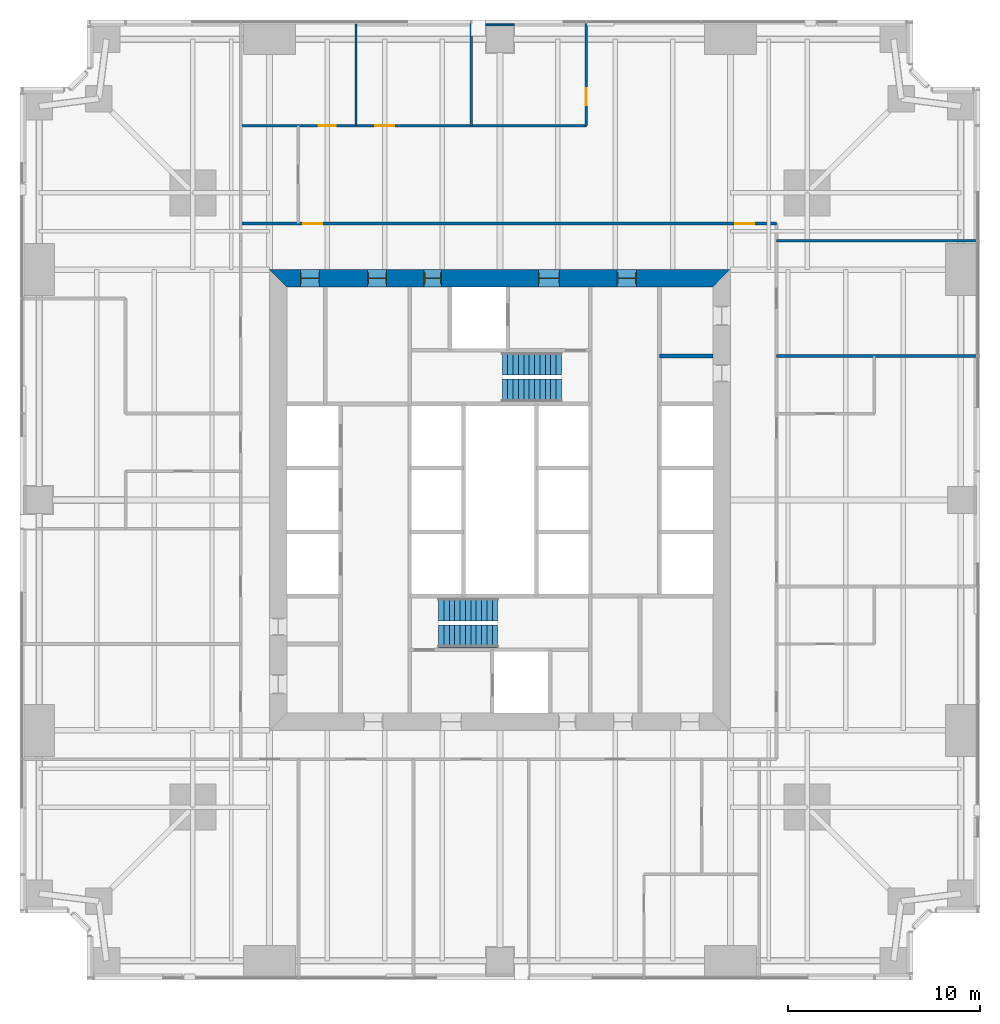
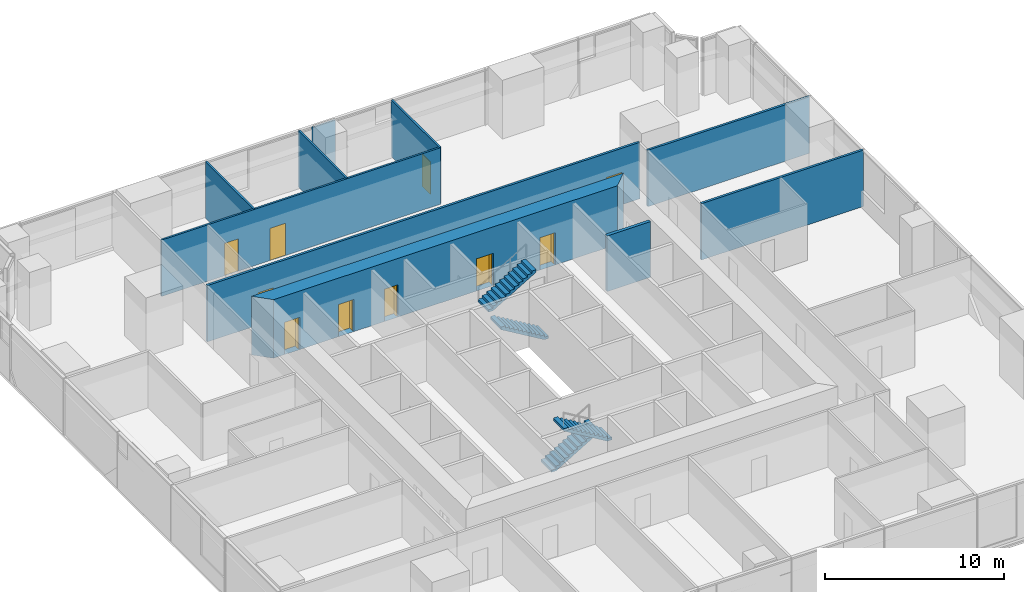
# One storey, part 11 of 13: 10 doors, 10 walls, 4 stair flights, 10 openings, 2 elements without a shape of their own.
"""IFC4 building model written with IfcOpenShell, lengths in metres."""

import ifcopenshell
import ifcopenshell.guid

model = None  # the IFC model being written
_history = None  # IfcOwnerHistory: only IFC2X3 demands one
_inside = {}  # id of a spatial element -> (the spatial element, [elements in it])
_under = {}  # id of a project, library or spatial element -> (it, [spatial elements below it])
_declared = {}  # id of a project -> (the project, [libraries it declares])
_typed = {}  # id of a type object -> (the type object, [elements of that type])
_made_of = {}  # id of a material, layer set ... -> (it, [elements and type objects made of it])


def new_model(schema):
    """Start an empty IFC model of exactly this schema.

    Asked for "IFC4X3", IfcOpenShell would pick the latest addendum, in which some entities
    have other attributes; the version numbers below select the first issue.
    IFC2X3 requires an IfcOwnerHistory on every rooted entity: one is made here for all.
    """
    global model, _history
    if schema == "IFC4X3":
        model = ifcopenshell.file(schema_version=(4, 3, 0, 0))
    else:
        model = ifcopenshell.file(schema=schema)
    _inside.clear()
    _under.clear()
    _declared.clear()
    _typed.clear()
    _made_of.clear()
    _history = None
    if model.schema == "IFC2X3":
        org = make("IfcOrganization", Name="unknown")
        user = make(
            "IfcPersonAndOrganization",
            ThePerson=make("IfcPerson", FamilyName="unknown"),
            TheOrganization=org,
        )
        app = make(
            "IfcApplication",
            ApplicationDeveloper=org,
            Version="unknown",
            ApplicationFullName="unknown",
            ApplicationIdentifier="unknown",
        )
        _history = make(
            "IfcOwnerHistory",
            OwningUser=user,
            OwningApplication=app,
            ChangeAction="ADDED",
            CreationDate=0,
        )
    return model


def make(cls, **values):
    """One entity of the class cls with the attributes given. An attribute that is None is left unset."""
    return model.create_entity(
        cls, **{name: value for name, value in values.items() if value is not None}
    )


def rooted(cls, **values):
    """An entity with a GlobalId (a new one), such as an element, a storey or a relation."""
    return make(cls, GlobalId=ifcopenshell.guid.new(), OwnerHistory=_history, **values)


def si_unit(unit_type, name, prefix=None):
    """IfcSIUnit, for example si_unit("LENGTHUNIT", "METRE", prefix="MILLI")."""
    return make("IfcSIUnit", UnitType=unit_type, Prefix=prefix, Name=name)


def assignment(units):
    """IfcUnitAssignment: the units of a project."""
    return None if units is None else make("IfcUnitAssignment", Units=units)


def point(xyz):
    """IfcCartesianPoint."""
    return None if xyz is None else make("IfcCartesianPoint", Coordinates=xyz)


def direction(xyz):
    """IfcDirection."""
    return None if xyz is None else make("IfcDirection", DirectionRatios=xyz)


def frame(location, z_axis=None, x_axis=None):
    """IfcAxis2Placement3D, a coordinate frame: its origin and axes. An axis left out is left unset."""
    return make(
        "IfcAxis2Placement3D",
        Location=point(location),
        Axis=direction(z_axis),
        RefDirection=direction(x_axis),
    )


def frame_2d(location, x_axis=None):
    """IfcAxis2Placement2D, a coordinate frame in the plane: its origin and x axis."""
    return make(
        "IfcAxis2Placement2D", Location=point(location), RefDirection=direction(x_axis)
    )


def origin():
    """The frame at (0, 0, 0) with its axes left unset."""
    return frame((0.0, 0.0, 0.0))


def place(relative_to, where):
    """IfcLocalPlacement: puts the frame where relative to a parent placement (None: the world)."""
    return make(
        "IfcLocalPlacement", PlacementRelTo=relative_to, RelativePlacement=where
    )


def context(
    kind, dimensions, precision=None, world=None, true_north=None, identifier=None
):
    """IfcGeometricRepresentationContext, for example the 3D "Model" context."""
    return make(
        "IfcGeometricRepresentationContext",
        ContextIdentifier=identifier,
        ContextType=kind,
        CoordinateSpaceDimension=dimensions,
        Precision=precision,
        WorldCoordinateSystem=world,
        TrueNorth=true_north,
    )


def subcontext(parent, identifier, kind, view, scale=None):
    """IfcGeometricRepresentationSubContext, for example "Body" below "Model"."""
    return make(
        "IfcGeometricRepresentationSubContext",
        ContextIdentifier=identifier,
        ContextType=kind,
        ParentContext=parent,
        TargetScale=scale,
        TargetView=view,
    )


def project(units=None, contexts=None):
    """IfcProject with its units and contexts."""
    return rooted(
        "IfcProject",
        Name="project",
        RepresentationContexts=contexts,
        UnitsInContext=assignment(units),
    )


def spatial(cls, under=None, at=None, **own):
    """A site, building, storey or space (cls), placed at a placement, below another one or the project."""
    s = rooted(cls, ObjectPlacement=at, **own)
    if under is not None:
        _under.setdefault(under.id(), (under, []))[1].append(s)
    return s


def polyline(points):
    """IfcPolyline through the points."""
    return make("IfcPolyline", Points=[point(p) for p in points])


def profile(cls, at=None, kind="AREA", **sizes):
    """A parametric profile (cls). Its sizes go by their IFC names, for example OverallWidth=200.0."""
    return make(cls, ProfileType=kind, Position=at, **sizes)


def rectangle(**sizes):
    """IfcRectangleProfileDef."""
    return profile("IfcRectangleProfileDef", **sizes)


def outline(outer, holes=None, kind="AREA"):
    """IfcArbitraryClosedProfileDef: a profile drawn as a closed curve; with holes, ...WithVoids."""
    if holes is None:
        return make("IfcArbitraryClosedProfileDef", ProfileType=kind, OuterCurve=outer)
    return make(
        "IfcArbitraryProfileDefWithVoids",
        ProfileType=kind,
        OuterCurve=outer,
        InnerCurves=holes,
    )


def extrude(swept, where, along, depth):
    """IfcExtrudedAreaSolid: the profile swept, set in the frame where, extruded along a direction by depth."""
    return make(
        "IfcExtrudedAreaSolid",
        SweptArea=swept,
        Position=where,
        ExtrudedDirection=direction(along),
        Depth=depth,
    )


def shape(context_of_items, identifier, shape_type, items):
    """IfcShapeRepresentation: the items that make up one representation, for example the "Body"."""
    return make(
        "IfcShapeRepresentation",
        ContextOfItems=context_of_items,
        RepresentationIdentifier=identifier,
        RepresentationType=shape_type,
        Items=items,
    )


def material(Name=None, Category=None):
    """IfcMaterial."""
    return make("IfcMaterial", Name=Name, Category=Category)


def layer(
    of_material, thickness, ventilated=None, Name=None, Category=None, Priority=None
):
    """IfcMaterialLayer: one layer of a wall or slab, of a material (None: an air gap)."""
    return make(
        "IfcMaterialLayer",
        Material=of_material,
        LayerThickness=thickness,
        IsVentilated=ventilated,
        Name=Name,
        Category=Category,
        Priority=Priority,
    )


def layer_set(layers, Name=None):
    """IfcMaterialLayerSet."""
    return make("IfcMaterialLayerSet", MaterialLayers=layers, LayerSetName=Name)


def made_of(thing, what):
    """Note that an element or type object is made of a material, layer set ...; save() writes the relation."""
    if what is not None:
        _made_of.setdefault(what.id(), (what, []))[1].append(thing)
    return thing


def type_object(cls, material=None, **own):
    """A type object (cls), such as IfcWallType, which elements share."""
    return made_of(rooted(cls, **own), material)


def element(
    cls,
    number,
    at=None,
    inside=None,
    cuts=None,
    type_object=None,
    material=None,
    context=None,
    identifier="Body",
    shape_type=None,
    held_by="IfcProductDefinitionShape",
    body=None,
    shapes=None,
    **own,
):
    """One element of the class cls, such as IfcWall. Its Tag is "e" and its number.

    at: its placement. inside: the storey or other place that contains it. cuts: it is an
    opening in that element (IfcRelVoidsElement). A single representation is given by context,
    identifier, shape_type and body (its items); several are given by shapes. held_by: the class
    of the entity that holds the representations. save() writes the other relations.
    """
    e = rooted(cls, Tag="e%d" % number, ObjectPlacement=at, **own)
    if body is not None:
        shapes = [shape(context, identifier, shape_type, body)]
    if shapes is not None:
        e.Representation = make(held_by, Representations=shapes)
    if inside is not None:
        _inside.setdefault(inside.id(), (inside, []))[1].append(e)
    if cuts is not None:
        rooted(
            "IfcRelVoidsElement", RelatingBuildingElement=cuts, RelatedOpeningElement=e
        )
    if type_object is not None:
        _typed.setdefault(type_object.id(), (type_object, []))[1].append(e)
    return made_of(e, material)


def fill(opening, filler):
    """IfcRelFillsElement: the door or window that sits in an opening."""
    return rooted(
        "IfcRelFillsElement",
        RelatingOpeningElement=opening,
        RelatedBuildingElement=filler,
    )


def aggregate(whole, parts):
    """IfcRelAggregates: a whole, such as a stair, and the parts it consists of."""
    return rooted("IfcRelAggregates", RelatingObject=whole, RelatedObjects=parts)


def save(model, path):
    """Write the relations noted so far, then the file.

    IfcRelAggregates (storeys below a building ...), IfcRelContainedInSpatialStructure (elements
    in a storey), IfcRelDefinesByType, IfcRelAssociatesMaterial and IfcRelDeclares: one each for
    every whole, place, type object, material and project.
    """
    for whole, parts in _under.values():
        aggregate(whole, parts)
    for where, things in _inside.values():
        rooted(
            "IfcRelContainedInSpatialStructure",
            RelatedElements=things,
            RelatingStructure=where,
        )
    for kind, things in _typed.values():
        rooted("IfcRelDefinesByType", RelatedObjects=things, RelatingType=kind)
    for what, things in _made_of.values():
        rooted("IfcRelAssociatesMaterial", RelatedObjects=things, RelatingMaterial=what)
    for by, libraries in _declared.values():
        rooted("IfcRelDeclares", RelatingContext=by, RelatedDefinitions=libraries)
    model.write(path)


model = new_model("IFC4")

# Units and contexts
model_context = context("Model", 3, precision=1e-05, world=origin(), true_north=direction((0.0, 1.0)))
body_context = subcontext(model_context, "Body", "Model", "MODEL_VIEW")
ifc_project = project(units=[si_unit("LENGTHUNIT", "METRE"), si_unit("AREAUNIT", "SQUARE_METRE"), si_unit("VOLUMEUNIT", "CUBIC_METRE"), si_unit("PLANEANGLEUNIT", "RADIAN"), si_unit("MASSUNIT", "GRAM", prefix="KILO")], contexts=[model_context])

# Site, building, storey
site_placement = place(None, origin())
site = spatial("IfcSite", under=ifc_project, at=site_placement, CompositionType="ELEMENT")
building_placement = place(site_placement, origin())
building = spatial("IfcBuilding", under=site, at=building_placement, Name="Fenwick Lantern Interchange", CompositionType="ELEMENT")
storey_placement = place(building_placement, frame((0.0, 0.0, 63.0)))
storey = spatial("IfcBuildingStorey", under=building, at=storey_placement, Name="L14", CompositionType="ELEMENT", Elevation=63.0)

# Walls
ifc_material_1 = material(Name="Fire-rated gypsum board encasement on steel studs, 2 hour", Category="steel")
ifc_layer_1 = layer(ifc_material_1, 1.5)
ifc_layer_set_1 = layer_set([ifc_layer_1], Name="COLUMN PIER 1500")
wall_type_1 = type_object("IfcWallType", Name="COLUMN PIER 1500", PredefinedType="PARTITIONING", material=ifc_layer_set_1)
wall_1_placement = place(storey_placement, frame((25.0, 49.800048828125, 0.0), z_axis=(0.0, 0.0, 1.0), x_axis=(0.0, -1.0, 0.0)))
element("IfcWall", 1, at=wall_1_placement, inside=storey, type_object=wall_type_1, Name="L14/W/PIER/CN3", PredefinedType="PARTITIONING", context=body_context, shape_type="SweptSolid", body=[
    extrude(rectangle(XDim=0.10009765625, YDim=1.5, at=frame_2d((0.050048828125, 0.0))), origin(), (0.0, 0.0, 1.0), 3.85009765625),
])
ifc_material_2 = material(Name="Concrete masonry ASTM C90 Grade N", Category="masonry")
ifc_layer_2 = layer(ifc_material_2, 0.199951171875)
ifc_layer_set_2 = layer_set([ifc_layer_2], Name="Concrete masonry ASTM C90 Grade N")
wall_type_2 = type_object("IfcWallType", Name="CORE PARTITION 200", PredefinedType="PARTITIONING", material=ifc_layer_set_2)
wall_2_placement = place(storey_placement, frame((36.10009765625, 32.5, 0.0), z_axis=(0.0, 0.0, 1.0), x_axis=(-1.0, 0.0, 0.0)))
element("IfcWall", 2, at=wall_2_placement, inside=storey, type_object=wall_type_2, Name="L14/W/COREN/p1", PredefinedType="PARTITIONING", context=body_context, shape_type="SweptSolid", body=[
    extrude(rectangle(XDim=2.800048828125, YDim=0.199951171875, at=frame_2d((1.39990234375, 0.0))), origin(), (0.0, 0.0, 1.0), 3.800048828125),
])

# Wall, openings, doors
ifc_material_3 = material(Name="Concrete f'c 70 MPa", Category="concrete")
ifc_layer_3 = layer(ifc_material_3, 0.89990234375)
ifc_layer_set_3 = layer_set([ifc_layer_3], Name="CORE WALL 900")
wall_type_3 = type_object("IfcWallType", Name="CORE WALL 900", PredefinedType="SHEAR", material=ifc_layer_set_3)
wall_3_placement = place(storey_placement, frame((37.0, 36.550048828125, 0.0), z_axis=(0.0, 0.0, 1.0), x_axis=(-1.0, 0.0, 0.0)))
wall_3 = element("IfcWall", 3, at=wall_3_placement, inside=storey, type_object=wall_type_3, Name="L14/CORE/N", PredefinedType="SHEAR", context=body_context, shape_type="SweptSolid", body=[
    extrude(outline(polyline([(0.0, -0.449951171875), (24.0, -0.449951171875), (23.10009765625, 0.449951171875), (0.89990234375, 0.449951171875), (0.0, -0.449951171875)])), origin(), (0.0, 0.0, 1.0), 4.0),
])
opening_1_placement = place(wall_3_placement, frame((4.89990234375, 0.0, 0.0)))
opening_1 = element("IfcOpeningElement", 4, at=opening_1_placement, cuts=wall_3, Name="Opening L14-D009", PredefinedType="OPENING", context=body_context, shape_type="SweptSolid", body=[
    extrude(rectangle(XDim=1.0, YDim=2.199951171875, at=frame_2d((0.5, 1.10009765625))), frame((0.0, 0.4599609375, 0.0), z_axis=(0.0, -1.0, 0.0), x_axis=(1.0, 0.0, 0.0)), (0.0, 0.0, 1.0), 0.919921875),
])
opening_2_placement = place(wall_3_placement, frame((8.89990234375, 0.0, 0.0)))
opening_2 = element("IfcOpeningElement", 5, at=opening_2_placement, cuts=wall_3, Name="Opening L14-D010", PredefinedType="OPENING", context=body_context, shape_type="SweptSolid", body=[
    extrude(rectangle(XDim=1.10009765625, YDim=2.199951171875, at=frame_2d((0.550048828125, 1.10009765625))), frame((0.0, 0.4599609375, 0.0), z_axis=(0.0, -1.0, 0.0), x_axis=(1.0, 0.0, 0.0)), (0.0, 0.0, 1.0), 0.919921875),
])
opening_3_placement = place(wall_3_placement, frame((15.050048828125, 0.0, 0.0)))
opening_3 = element("IfcOpeningElement", 6, at=opening_3_placement, cuts=wall_3, Name="Opening L14-D012", PredefinedType="OPENING", context=body_context, shape_type="SweptSolid", body=[
    extrude(rectangle(XDim=0.89990234375, YDim=2.199951171875, at=frame_2d((0.449951171875, 1.10009765625))), frame((0.0, 0.4599609375, 0.0), z_axis=(0.0, -1.0, 0.0), x_axis=(1.0, 0.0, 0.0)), (0.0, 0.0, 1.0), 0.919921875),
])
opening_4_placement = place(wall_3_placement, frame((17.89990234375, 0.0, 0.0)))
opening_4 = element("IfcOpeningElement", 7, at=opening_4_placement, cuts=wall_3, Name="Opening L14-D013", PredefinedType="OPENING", context=body_context, shape_type="SweptSolid", body=[
    extrude(rectangle(XDim=1.0, YDim=2.199951171875, at=frame_2d((0.5, 1.10009765625))), frame((0.0, 0.4599609375, 0.0), z_axis=(0.0, -1.0, 0.0), x_axis=(1.0, 0.0, 0.0)), (0.0, 0.0, 1.0), 0.919921875),
])
opening_5_placement = place(wall_3_placement, frame((21.39990234375, 0.0, 0.0)))
opening_5 = element("IfcOpeningElement", 8, at=opening_5_placement, cuts=wall_3, Name="Opening L14-D014", PredefinedType="OPENING", context=body_context, shape_type="SweptSolid", body=[
    extrude(rectangle(XDim=1.0, YDim=2.199951171875, at=frame_2d((0.5, 1.10009765625))), frame((0.0, 0.4599609375, 0.0), z_axis=(0.0, -1.0, 0.0), x_axis=(1.0, 0.0, 0.0)), (0.0, 0.0, 1.0), 0.919921875),
])
ifc_material_4 = material(Name="Steel door and frame", Category="steel")
door_type_1 = type_object("IfcDoorType", Name="CORE LOBBY DOOR 1000 X 2200", OperationType="SINGLE_SWING_LEFT", PredefinedType="DOOR", material=ifc_material_4)
door_1_placement = place(opening_1_placement, origin())
door_1 = element("IfcDoor", 9, at=door_1_placement, inside=storey, type_object=door_type_1, Name="Core lobby door", OperationType="SINGLE_SWING_LEFT", OverallHeight=2.199951171875, OverallWidth=1.0, PredefinedType="DOOR", context=body_context, shape_type="SweptSolid", body=[
    extrude(rectangle(XDim=1.0, YDim=2.199951171875, at=frame_2d((0.5, 1.10009765625))), frame((0.0, 0.02490234375, 0.0), z_axis=(0.0, -1.0, 0.0), x_axis=(1.0, 0.0, 0.0)), (0.0, 0.0, 1.0), 0.050048828125),
    extrude(outline(polyline([(0.0, 0.0), (0.0400390625, 0.0), (0.0400390625, 2.159912109375), (0.9599609375, 2.159912109375), (0.9599609375, 0.0), (1.0, 0.0), (1.0, 2.199951171875), (0.0, 2.199951171875), (0.0, 0.0)])), frame((0.0, 0.300048828125, 0.0), z_axis=(0.0, -1.0, 0.0), x_axis=(1.0, 0.0, 0.0)), (0.0, 0.0, 1.0), 0.60009765625),
])
fill(opening_1, door_1)
door_type_2 = type_object("IfcDoorType", Name="FIRE LOBBY DOOR 1100 X 2200", OperationType="SINGLE_SWING_LEFT", PredefinedType="DOOR", material=ifc_material_4)
door_2_placement = place(opening_2_placement, origin())
door_2 = element("IfcDoor", 10, at=door_2_placement, inside=storey, type_object=door_type_2, Name="Fire lobby door", OperationType="SINGLE_SWING_LEFT", OverallHeight=2.199951171875, OverallWidth=1.10009765625, PredefinedType="DOOR", context=body_context, shape_type="SweptSolid", body=[
    extrude(rectangle(XDim=1.10009765625, YDim=2.199951171875, at=frame_2d((0.550048828125, 1.10009765625))), frame((0.0, 0.02490234375, 0.0), z_axis=(0.0, -1.0, 0.0), x_axis=(1.0, 0.0, 0.0)), (0.0, 0.0, 1.0), 0.050048828125),
    extrude(outline(polyline([(0.0, 0.0), (0.0400390625, 0.0), (0.0400390625, 2.159912109375), (1.06005859375, 2.159912109375), (1.06005859375, 0.0), (1.10009765625, 0.0), (1.10009765625, 2.199951171875), (0.0, 2.199951171875), (0.0, 0.0)])), frame((0.0, 0.300048828125, 0.0), z_axis=(0.0, -1.0, 0.0), x_axis=(1.0, 0.0, 0.0)), (0.0, 0.0, 1.0), 0.60009765625),
])
fill(opening_2, door_2)
door_type_3 = type_object("IfcDoorType", Name="SERVICE DOOR 900 X 2200", OperationType="SINGLE_SWING_LEFT", PredefinedType="DOOR", material=ifc_material_4)
door_3_placement = place(opening_3_placement, origin())
door_3 = element("IfcDoor", 11, at=door_3_placement, inside=storey, type_object=door_type_3, Name="Service door", OperationType="SINGLE_SWING_LEFT", OverallHeight=2.199951171875, OverallWidth=0.89990234375, PredefinedType="DOOR", context=body_context, shape_type="SweptSolid", body=[
    extrude(rectangle(XDim=0.89990234375, YDim=2.199951171875, at=frame_2d((0.449951171875, 1.10009765625))), frame((0.0, 0.02490234375, 0.0), z_axis=(0.0, -1.0, 0.0), x_axis=(1.0, 0.0, 0.0)), (0.0, 0.0, 1.0), 0.050048828125),
    extrude(outline(polyline([(0.0, 0.0), (0.0400390625, 0.0), (0.0400390625, 2.159912109375), (0.85986328125, 2.159912109375), (0.85986328125, 0.0), (0.89990234375, 0.0), (0.89990234375, 2.199951171875), (0.0, 2.199951171875), (0.0, 0.0)])), frame((0.0, 0.300048828125, 0.0), z_axis=(0.0, -1.0, 0.0), x_axis=(1.0, 0.0, 0.0)), (0.0, 0.0, 1.0), 0.60009765625),
])
fill(opening_3, door_3)
ifc_material_5 = material(Name="Hardwood door and steel frame", Category="steel")
door_type_4 = type_object("IfcDoorType", Name="WC DOOR 1000 X 2200", OperationType="SINGLE_SWING_LEFT", PredefinedType="DOOR", material=ifc_material_5)
door_4_placement = place(opening_4_placement, origin())
door_4 = element("IfcDoor", 12, at=door_4_placement, inside=storey, type_object=door_type_4, Name="Wc door", OperationType="SINGLE_SWING_LEFT", OverallHeight=2.199951171875, OverallWidth=1.0, PredefinedType="DOOR", context=body_context, shape_type="SweptSolid", body=[
    extrude(rectangle(XDim=1.0, YDim=2.199951171875, at=frame_2d((0.5, 1.10009765625))), frame((0.0, 0.02490234375, 0.0), z_axis=(0.0, -1.0, 0.0), x_axis=(1.0, 0.0, 0.0)), (0.0, 0.0, 1.0), 0.050048828125),
    extrude(outline(polyline([(0.0, 0.0), (0.0400390625, 0.0), (0.0400390625, 2.159912109375), (0.9599609375, 2.159912109375), (0.9599609375, 0.0), (1.0, 0.0), (1.0, 2.199951171875), (0.0, 2.199951171875), (0.0, 0.0)])), frame((0.0, 0.300048828125, 0.0), z_axis=(0.0, -1.0, 0.0), x_axis=(1.0, 0.0, 0.0)), (0.0, 0.0, 1.0), 0.60009765625),
])
fill(opening_4, door_4)
door_5_placement = place(opening_5_placement, origin())
door_5 = element("IfcDoor", 13, at=door_5_placement, inside=storey, type_object=door_type_4, Name="Wc door", OperationType="SINGLE_SWING_LEFT", OverallHeight=2.199951171875, OverallWidth=1.0, PredefinedType="DOOR", context=body_context, shape_type="SweptSolid", body=[
    extrude(rectangle(XDim=1.0, YDim=2.199951171875, at=frame_2d((0.5, 1.10009765625))), frame((0.0, 0.02490234375, 0.0), z_axis=(0.0, -1.0, 0.0), x_axis=(1.0, 0.0, 0.0)), (0.0, 0.0, 1.0), 0.050048828125),
    extrude(outline(polyline([(0.0, 0.0), (0.0400390625, 0.0), (0.0400390625, 2.159912109375), (0.9599609375, 2.159912109375), (0.9599609375, 0.0), (1.0, 0.0), (1.0, 2.199951171875), (0.0, 2.199951171875), (0.0, 0.0)])), frame((0.0, 0.300048828125, 0.0), z_axis=(0.0, -1.0, 0.0), x_axis=(1.0, 0.0, 0.0)), (0.0, 0.0, 1.0), 0.60009765625),
])
fill(opening_5, door_5)

ifc_material_6 = material(Name="Gypsum board on steel studs, 1 hour", Category="steel")
ifc_layer_4 = layer(ifc_material_6, 0.14990234375)
ifc_layer_set_4 = layer_set([ifc_layer_4], Name="CORRIDOR WALL 150")
wall_type_4 = type_object("IfcWallType", Name="CORRIDOR WALL 150", PredefinedType="PARTITIONING", material=ifc_layer_set_4)
wall_4_placement = place(storey_placement, frame((39.39990234375, 39.39990234375, 0.0), z_axis=(0.0, 0.0, 1.0), x_axis=(-1.0, 0.0, 0.0)))
wall_4 = element("IfcWall", 14, at=wall_4_placement, inside=storey, type_object=wall_type_4, Name="L14/W/OFF/N/CW2", PredefinedType="PARTITIONING", context=body_context, shape_type="SweptSolid", body=[
    extrude(rectangle(XDim=27.89990234375, YDim=0.14990234375, at=frame_2d((13.949951171875, 0.0))), origin(), (0.0, 0.0, 1.0), 3.85009765625),
])
opening_6_placement = place(wall_4_placement, frame((1.14990234375, 0.0, 0.0)))
opening_6 = element("IfcOpeningElement", 15, at=opening_6_placement, cuts=wall_4, Name="Opening L14-D029", PredefinedType="OPENING", context=body_context, shape_type="SweptSolid", body=[
    extrude(rectangle(XDim=1.0, YDim=2.199951171875, at=frame_2d((0.5, 1.10009765625))), frame((0.0, 0.0849609375, 0.0), z_axis=(0.0, -1.0, 0.0), x_axis=(1.0, 0.0, 0.0)), (0.0, 0.0, 1.0), 0.169921875),
])
opening_7_placement = place(wall_4_placement, frame((23.64990234375, 0.0, 0.0)))
opening_7 = element("IfcOpeningElement", 16, at=opening_7_placement, cuts=wall_4, Name="Opening L14-D030", PredefinedType="OPENING", context=body_context, shape_type="SweptSolid", body=[
    extrude(rectangle(XDim=1.0, YDim=2.199951171875, at=frame_2d((0.5, 1.10009765625))), frame((0.0, 0.0849609375, 0.0), z_axis=(0.0, -1.0, 0.0), x_axis=(1.0, 0.0, 0.0)), (0.0, 0.0, 1.0), 0.169921875),
])
door_type_5 = type_object("IfcDoorType", Name="SUITE ENTRANCE DOOR 1000 X 2200", OperationType="SINGLE_SWING_LEFT", PredefinedType="DOOR", material=ifc_material_4)
door_6_placement = place(opening_6_placement, origin())
door_6 = element("IfcDoor", 17, at=door_6_placement, inside=storey, type_object=door_type_5, Name="Suite entrance door", OperationType="SINGLE_SWING_LEFT", OverallHeight=2.199951171875, OverallWidth=1.0, PredefinedType="DOOR", context=body_context, shape_type="SweptSolid", body=[
    extrude(rectangle(XDim=1.0, YDim=2.199951171875, at=frame_2d((0.5, 1.10009765625))), frame((0.0, 0.02490234375, 0.0), z_axis=(0.0, -1.0, 0.0), x_axis=(1.0, 0.0, 0.0)), (0.0, 0.0, 1.0), 0.050048828125),
])
fill(opening_6, door_6)
door_7_placement = place(opening_7_placement, origin())
door_7 = element("IfcDoor", 18, at=door_7_placement, inside=storey, type_object=door_type_5, Name="Suite entrance door", OperationType="SINGLE_SWING_RIGHT", OverallHeight=2.199951171875, OverallWidth=1.0, PredefinedType="DOOR", context=body_context, shape_type="SweptSolid", body=[
    extrude(rectangle(XDim=1.0, YDim=2.199951171875, at=frame_2d((0.5, 1.10009765625))), frame((0.0, 0.02490234375, 0.0), z_axis=(0.0, -1.0, 0.0), x_axis=(1.0, 0.0, 0.0)), (0.0, 0.0, 1.0), 0.050048828125),
])
fill(opening_7, door_7)

# Wall, opening, door
ifc_material_7 = material(Name="Gypsum board on steel studs, acoustic", Category="steel")
ifc_layer_5 = layer(ifc_material_7, 0.125)
ifc_layer_set_5 = layer_set([ifc_layer_5], Name="OFFICE PARTITION 125")
wall_type_5 = type_object("IfcWallType", Name="OFFICE PARTITION 125", PredefinedType="PARTITIONING", material=ifc_layer_set_5)
wall_5_placement = place(storey_placement, frame((29.5, 49.85009765625, 0.0), z_axis=(0.0, 0.0, 1.0), x_axis=(0.0, -1.0, 0.0)))
wall_5 = element("IfcWall", 19, at=wall_5_placement, inside=storey, type_object=wall_type_5, Name="L14/W/OFF/N/X205-1", PredefinedType="PARTITIONING", context=body_context, shape_type="SweptSolid", body=[
    extrude(rectangle(XDim=5.35009765625, YDim=0.125, at=frame_2d((2.675048828125, 0.0))), origin(), (0.0, 0.0, 1.0), 3.85009765625),
])
opening_8_placement = place(wall_5_placement, frame((3.39990234375, 0.0, 0.0)))
opening_8 = element("IfcOpeningElement", 20, at=opening_8_placement, cuts=wall_5, Name="Opening L14-D031", PredefinedType="OPENING", context=body_context, shape_type="SweptSolid", body=[
    extrude(rectangle(XDim=0.89990234375, YDim=2.199951171875, at=frame_2d((0.449951171875, 1.10009765625))), frame((0.0, 0.072509765625, 0.0), z_axis=(0.0, -1.0, 0.0), x_axis=(1.0, 0.0, 0.0)), (0.0, 0.0, 1.0), 0.14501953125),
])
door_type_6 = type_object("IfcDoorType", Name="OFFICE DOOR 900 X 2200", OperationType="SINGLE_SWING_LEFT", PredefinedType="DOOR", material=ifc_material_5)
door_8_placement = place(opening_8_placement, frame((0.89990234375, 0.0, 0.0), z_axis=(0.0, 0.0, 1.0), x_axis=(-1.0, 0.0, 0.0)))
door_8 = element("IfcDoor", 21, at=door_8_placement, inside=storey, type_object=door_type_6, Name="Office door", OperationType="SINGLE_SWING_LEFT", OverallHeight=2.199951171875, OverallWidth=0.89990234375, PredefinedType="DOOR", context=body_context, shape_type="SweptSolid", body=[
    extrude(rectangle(XDim=0.89990234375, YDim=2.199951171875, at=frame_2d((0.449951171875, 1.10009765625))), frame((0.0, 0.02490234375, 0.0), z_axis=(0.0, -1.0, 0.0), x_axis=(1.0, 0.0, 0.0)), (0.0, 0.0, 1.0), 0.050048828125),
])
fill(opening_8, door_8)

# Walls
for number, where, z_axis, x_axis, name in (
    (22, (23.5, 49.85009765625, 0.0), (0.0, 0.0, 1.0), (0.0, -1.0, 0.0), "L14/W/OFF/N/X265-1"),
    (23, (17.5, 49.85009765625, 0.0), (0.0, 0.0, 1.0), (0.0, -1.0, 0.0), "L14/W/OFF/N/X325-1"),
):
    element("IfcWall", number, at=place(storey_placement, frame(where, z_axis=z_axis, x_axis=x_axis)), inside=storey, type_object=wall_type_5, Name=name, PredefinedType="PARTITIONING", context=body_context, shape_type="SweptSolid", body=[
        extrude(rectangle(XDim=5.35009765625, YDim=0.125, at=frame_2d((2.675048828125, 0.0))), origin(), (0.0, 0.0, 1.0), 3.85009765625),
    ])

# Wall, openings, doors
wall_6_placement = place(storey_placement, frame((29.5, 44.5, 0.0), z_axis=(0.0, 0.0, 1.0), x_axis=(-1.0, 0.0, 0.0)))
wall_6 = element("IfcWall", 24, at=wall_6_placement, inside=storey, type_object=wall_type_5, Name="L14/W/OFF/N/Y55-1", PredefinedType="PARTITIONING", context=body_context, shape_type="SweptSolid", body=[
    extrude(rectangle(XDim=18.0, YDim=0.125, at=frame_2d((9.0, 0.0))), origin(), (0.0, 0.0, 1.0), 3.85009765625),
])
opening_9_placement = place(wall_6_placement, frame((10.0, 0.0, 0.0)))
opening_9 = element("IfcOpeningElement", 25, at=opening_9_placement, cuts=wall_6, Name="Opening L14-D032", PredefinedType="OPENING", context=body_context, shape_type="SweptSolid", body=[
    extrude(rectangle(XDim=1.0, YDim=2.199951171875, at=frame_2d((0.5, 1.10009765625))), frame((0.0, 0.072509765625, 0.0), z_axis=(0.0, -1.0, 0.0), x_axis=(1.0, 0.0, 0.0)), (0.0, 0.0, 1.0), 0.14501953125),
])
opening_10_placement = place(wall_6_placement, frame((13.050048828125, 0.0, 0.0)))
opening_10 = element("IfcOpeningElement", 26, at=opening_10_placement, cuts=wall_6, Name="Opening L14-D033", PredefinedType="OPENING", context=body_context, shape_type="SweptSolid", body=[
    extrude(rectangle(XDim=0.89990234375, YDim=2.199951171875, at=frame_2d((0.449951171875, 1.10009765625))), frame((0.0, 0.072509765625, 0.0), z_axis=(0.0, -1.0, 0.0), x_axis=(1.0, 0.0, 0.0)), (0.0, 0.0, 1.0), 0.14501953125),
])
door_type_7 = type_object("IfcDoorType", Name="MEETING ROOM DOOR 1000 X 2200", OperationType="SINGLE_SWING_LEFT", PredefinedType="DOOR", material=ifc_material_5)
door_9_placement = place(opening_9_placement, frame((1.0, 0.0, 0.0), z_axis=(0.0, 0.0, 1.0), x_axis=(-1.0, 0.0, 0.0)))
door_9 = element("IfcDoor", 27, at=door_9_placement, inside=storey, type_object=door_type_7, Name="Meeting room door", OperationType="SINGLE_SWING_LEFT", OverallHeight=2.199951171875, OverallWidth=1.0, PredefinedType="DOOR", context=body_context, shape_type="SweptSolid", body=[
    extrude(rectangle(XDim=1.0, YDim=2.199951171875, at=frame_2d((0.5, 1.10009765625))), frame((0.0, 0.02490234375, 0.0), z_axis=(0.0, -1.0, 0.0), x_axis=(1.0, 0.0, 0.0)), (0.0, 0.0, 1.0), 0.050048828125),
])
fill(opening_9, door_9)
door_10_placement = place(opening_10_placement, frame((0.89990234375, 0.0, 0.0), z_axis=(0.0, 0.0, 1.0), x_axis=(-1.0, 0.0, 0.0)))
door_10 = element("IfcDoor", 28, at=door_10_placement, inside=storey, type_object=door_type_6, Name="Office door", OperationType="SINGLE_SWING_RIGHT", OverallHeight=2.199951171875, OverallWidth=0.89990234375, PredefinedType="DOOR", context=body_context, shape_type="SweptSolid", body=[
    extrude(rectangle(XDim=0.89990234375, YDim=2.199951171875, at=frame_2d((0.449951171875, 1.10009765625))), frame((0.0, 0.02490234375, 0.0), z_axis=(0.0, -1.0, 0.0), x_axis=(1.0, 0.0, 0.0)), (0.0, 0.0, 1.0), 0.050048828125),
])
fill(opening_10, door_10)

# Walls
ifc_material_8 = material(Name="Gypsum board on steel studs, 1 hour acoustic", Category="steel")
ifc_layer_6 = layer(ifc_material_8, 0.14990234375)
ifc_layer_set_6 = layer_set([ifc_layer_6], Name="TENANT WALL 150")
wall_type_6 = type_object("IfcWallType", Name="TENANT WALL 150", PredefinedType="PARTITIONING", material=ifc_layer_set_6)
for number, where, z_axis, x_axis, name in (
    (29, (49.85009765625, 32.5, 0.0), (0.0, 0.0, 1.0), (-1.0, 0.0, 0.0), "L14/W/OFF/E/X325-1"),
    (30, (49.85009765625, 38.5, 0.0), (0.0, 0.0, 1.0), (-1.0, 0.0, 0.0), "L14/W/OFF/N/BACK"),
):
    element("IfcWall", number, at=place(storey_placement, frame(where, z_axis=z_axis, x_axis=x_axis)), inside=storey, type_object=wall_type_6, Name=name, PredefinedType="PARTITIONING", context=body_context, shape_type="SweptSolid", body=[
        extrude(rectangle(XDim=10.4501953125, YDim=0.14990234375, at=frame_2d((5.22509765625, 0.0))), origin(), (0.0, 0.0, 1.0), 3.85009765625),
    ])

# Stair, stair flights
ifc_material_9 = material(Name="Precast concrete f'c 35 MPa", Category="concrete")
stair_type = type_object("IfcStairType", Name="EXIT STAIR 1200", PredefinedType="HALF_TURN_STAIR", material=ifc_material_9)
stair_1_placement = place(storey_placement, origin())
stair_1 = element("IfcStair", 31, at=stair_1_placement, inside=storey, type_object=stair_type, Name="Exit stair ST1", PredefinedType="HALF_TURN_STAIR")
stair_flight_type = type_object("IfcStairFlightType", Name="STAIR FLIGHT 1200", PredefinedType="STRAIGHT", material=ifc_material_9)
stair_flight_1_placement = place(storey_placement, frame((21.800048828125, 19.300048828125, 0.0), z_axis=(0.0, 0.0, 1.0), x_axis=(1.0, 0.0, 0.0)))
stair_flight_1 = element("IfcStairFlight", 32, at=stair_flight_1_placement, type_object=stair_flight_type, Name="ST1 flight 1", NumberOfRisers=12, NumberOfTreads=11, PredefinedType="STRAIGHT", RiserHeight=0.166666667, TreadLength=0.28, context=body_context, shape_type="SweptSolid", body=[
    extrude(outline(polyline([(0.0, 0.0), (0.0, 0.166748046875), (0.280029296875, 0.166748046875), (0.280029296875, 0.333251953125), (0.56005859375, 0.333251953125), (0.56005859375, 0.5), (0.840087890625, 0.5), (0.840087890625, 0.666748046875), (1.1201171875, 0.666748046875), (1.1201171875, 0.833251953125), (1.39990234375, 0.833251953125), (1.39990234375, 1.0), (1.679931640625, 1.0), (1.679931640625, 1.166748046875), (1.9599609375, 1.166748046875), (1.9599609375, 1.333251953125), (2.239990234375, 1.333251953125), (2.239990234375, 1.5), (2.52001953125, 1.5), (2.52001953125, 1.666748046875), (2.800048828125, 1.666748046875), (2.800048828125, 1.833251953125), (3.080078125, 1.833251953125), (3.080078125, 2.0), (3.080078125, 1.658935546875), (0.29296875, 0.0), (0.0, 0.0)])), frame((0.0, 0.60009765625, 0.0), z_axis=(0.0, -1.0, 0.0), x_axis=(1.0, 0.0, 0.0)), (0.0, 0.0, 1.0), 1.199951171875),
])
stair_flight_2_placement = place(storey_placement, frame((24.8798828125, 17.89990234375, 2.0), z_axis=(0.0, 0.0, 1.0), x_axis=(-1.0, 0.0, 0.0)))
stair_flight_2 = element("IfcStairFlight", 33, at=stair_flight_2_placement, type_object=stair_flight_type, Name="ST1 flight 2", NumberOfRisers=12, NumberOfTreads=11, PredefinedType="STRAIGHT", RiserHeight=0.166666667, TreadLength=0.28, context=body_context, shape_type="SweptSolid", body=[
    extrude(outline(polyline([(0.0, 0.0), (0.0, 0.166748046875), (0.280029296875, 0.166748046875), (0.280029296875, 0.333251953125), (0.56005859375, 0.333251953125), (0.56005859375, 0.5), (0.840087890625, 0.5), (0.840087890625, 0.666748046875), (1.1201171875, 0.666748046875), (1.1201171875, 0.833251953125), (1.39990234375, 0.833251953125), (1.39990234375, 1.0), (1.679931640625, 1.0), (1.679931640625, 1.166748046875), (1.9599609375, 1.166748046875), (1.9599609375, 1.333251953125), (2.239990234375, 1.333251953125), (2.239990234375, 1.5), (2.52001953125, 1.5), (2.52001953125, 1.666748046875), (2.800048828125, 1.666748046875), (2.800048828125, 1.833251953125), (3.080078125, 1.833251953125), (3.080078125, 2.0), (3.080078125, 1.658935546875), (0.29296875, 0.0), (0.0, 0.0)])), frame((0.0, 0.60009765625, 0.0), z_axis=(0.0, -1.0, 0.0), x_axis=(1.0, 0.0, 0.0)), (0.0, 0.0, 1.0), 1.199951171875),
])
aggregate(stair_1, [stair_flight_1, stair_flight_2])

stair_2_placement = place(storey_placement, origin())
stair_2 = element("IfcStair", 34, at=stair_2_placement, inside=storey, type_object=stair_type, Name="Exit stair ST2", PredefinedType="HALF_TURN_STAIR")
stair_flight_3_placement = place(storey_placement, frame((28.199951171875, 30.699951171875, 0.0), z_axis=(0.0, 0.0, 1.0), x_axis=(-1.0, 0.0, 0.0)))
stair_flight_3 = element("IfcStairFlight", 35, at=stair_flight_3_placement, type_object=stair_flight_type, Name="ST2 flight 1", NumberOfRisers=12, NumberOfTreads=11, PredefinedType="STRAIGHT", RiserHeight=0.166666667, TreadLength=0.28, context=body_context, shape_type="SweptSolid", body=[
    extrude(outline(polyline([(0.0, 0.0), (0.0, 0.166748046875), (0.280029296875, 0.166748046875), (0.280029296875, 0.333251953125), (0.56005859375, 0.333251953125), (0.56005859375, 0.5), (0.840087890625, 0.5), (0.840087890625, 0.666748046875), (1.1201171875, 0.666748046875), (1.1201171875, 0.833251953125), (1.39990234375, 0.833251953125), (1.39990234375, 1.0), (1.679931640625, 1.0), (1.679931640625, 1.166748046875), (1.9599609375, 1.166748046875), (1.9599609375, 1.333251953125), (2.239990234375, 1.333251953125), (2.239990234375, 1.5), (2.52001953125, 1.5), (2.52001953125, 1.666748046875), (2.800048828125, 1.666748046875), (2.800048828125, 1.833251953125), (3.080078125, 1.833251953125), (3.080078125, 2.0), (3.080078125, 1.658935546875), (0.29296875, 0.0), (0.0, 0.0)])), frame((0.0, 0.60009765625, 0.0), z_axis=(0.0, -1.0, 0.0), x_axis=(1.0, 0.0, 0.0)), (0.0, 0.0, 1.0), 1.199951171875),
])
stair_flight_4_placement = place(storey_placement, frame((25.1201171875, 32.10009765625, 2.0), z_axis=(0.0, 0.0, 1.0), x_axis=(1.0, 0.0, 0.0)))
stair_flight_4 = element("IfcStairFlight", 36, at=stair_flight_4_placement, type_object=stair_flight_type, Name="ST2 flight 2", NumberOfRisers=12, NumberOfTreads=11, PredefinedType="STRAIGHT", RiserHeight=0.166666667, TreadLength=0.28, context=body_context, shape_type="SweptSolid", body=[
    extrude(outline(polyline([(0.0, 0.0), (0.0, 0.166748046875), (0.280029296875, 0.166748046875), (0.280029296875, 0.333251953125), (0.56005859375, 0.333251953125), (0.56005859375, 0.5), (0.840087890625, 0.5), (0.840087890625, 0.666748046875), (1.1201171875, 0.666748046875), (1.1201171875, 0.833251953125), (1.39990234375, 0.833251953125), (1.39990234375, 1.0), (1.679931640625, 1.0), (1.679931640625, 1.166748046875), (1.9599609375, 1.166748046875), (1.9599609375, 1.333251953125), (2.239990234375, 1.333251953125), (2.239990234375, 1.5), (2.52001953125, 1.5), (2.52001953125, 1.666748046875), (2.800048828125, 1.666748046875), (2.800048828125, 1.833251953125), (3.080078125, 1.833251953125), (3.080078125, 2.0), (3.080078125, 1.658935546875), (0.29296875, 0.0), (0.0, 0.0)])), frame((0.0, 0.60009765625, 0.0), z_axis=(0.0, -1.0, 0.0), x_axis=(1.0, 0.0, 0.0)), (0.0, 0.0, 1.0), 1.199951171875),
])
aggregate(stair_2, [stair_flight_3, stair_flight_4])

save(model, "model.ifc")
